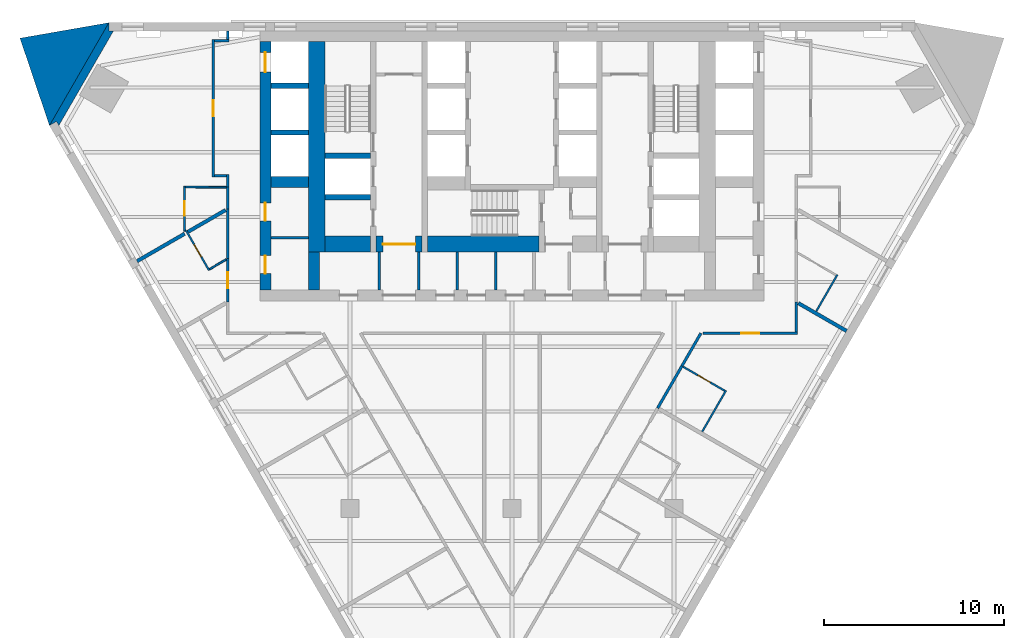
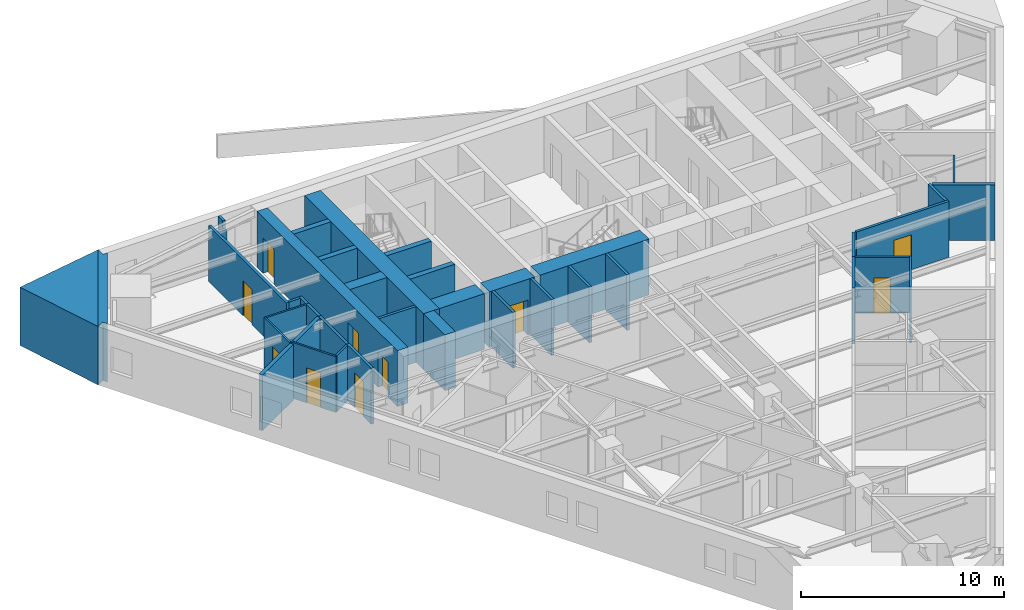
# One storey, part 5 of 11: 40 walls, 10 doors, 10 openings.
"""IFC4 building model written with IfcOpenShell, lengths in metres."""

from ifc_helpers import new_model, si_unit, direction, frame, frame_2d, origin, place, context, subcontext, project, spatial, polyline, rectangle, outline, extrude, material, layer, layer_set, type_object, element, fill, save


model = new_model("IFC4")

# Units and contexts
model_context = context("Model", 3, precision=1e-05, world=origin(), true_north=direction((0.0, 1.0)))
body_context = subcontext(model_context, "Body", "Model", "MODEL_VIEW")
ifc_project = project(units=[si_unit("LENGTHUNIT", "METRE"), si_unit("AREAUNIT", "SQUARE_METRE"), si_unit("VOLUMEUNIT", "CUBIC_METRE"), si_unit("PLANEANGLEUNIT", "RADIAN"), si_unit("MASSUNIT", "GRAM", prefix="KILO")], contexts=[model_context])

# Site, building, storey
site_placement = place(None, origin())
site = spatial("IfcSite", under=ifc_project, at=site_placement, CompositionType="ELEMENT")
building_placement = place(site_placement, origin())
building = spatial("IfcBuilding", under=site, at=building_placement, Name="Aloe Facet Convention Tower", CompositionType="ELEMENT")
storey_placement = place(building_placement, frame((0.0, 0.0, 38.5)))
storey = spatial("IfcBuildingStorey", under=building, at=storey_placement, Name="L07", CompositionType="ELEMENT", Elevation=38.5)

# Walls
ifc_material_1 = material(Name="Concrete blockwork partition", Category="masonry")
ifc_layer_1 = layer(ifc_material_1, 0.14990234375)
ifc_layer_set_1 = layer_set([ifc_layer_1], Name="CR-W-PART150")
wall_type_1 = type_object("IfcWallType", Name="CR-W-PART150", PredefinedType="PARTITIONING", material=ifc_layer_set_1)
wall_1_placement = place(storey_placement, frame((66.60009765625, 123.048583984375, 0.0), z_axis=(0.0, 0.0, 1.0), x_axis=(1.0, 0.0, 0.0)))
element("IfcWall", 1, at=wall_1_placement, inside=storey, type_object=wall_type_1, Name="Core partition L07-007", PredefinedType="PARTITIONING", context=body_context, shape_type="SweptSolid", body=[
    extrude(rectangle(XDim=2.099853515625, YDim=0.14990234375, at=frame_2d((1.0498046875, 0.0))), origin(), (0.0, 0.0, 1.0), 3.35009765625),
])
for number, where, z_axis, x_axis, name in (
    (2, (72.625, 122.25, 0.0), (0.0, 0.0, 1.0), (0.0, -1.0, 0.0), "Core partition L07-016"),
    (3, (74.824951171875, 122.25, 0.0), (0.0, 0.0, 1.0), (0.0, -1.0, 0.0), "Core partition L07-017"),
    (4, (76.958251953125, 122.25, 0.0), (0.0, 0.0, 1.0), (0.0, -1.0, 0.0), "Core partition L07-023"),
    (5, (79.091552734375, 122.25, 0.0), (0.0, 0.0, 1.0), (0.0, -1.0, 0.0), "Core partition L07-026"),
):
    element("IfcWall", number, at=place(storey_placement, frame(where, z_axis=z_axis, x_axis=x_axis)), inside=storey, type_object=wall_type_1, Name=name, PredefinedType="PARTITIONING", context=body_context, shape_type="SweptSolid", body=[
        extrude(rectangle(XDim=2.10009765625, YDim=0.14990234375, at=frame_2d((1.050048828125, 0.0))), origin(), (0.0, 0.0, 1.0), 3.35009765625),
    ])
ifc_material_2 = material(Name="Concrete C80/95", Category="concrete")
ifc_layer_2 = layer(ifc_material_2, 0.300048828125)
ifc_layer_set_2 = layer_set([ifc_layer_2], Name="CR-W-RC300-C8095")
wall_type_2 = type_object("IfcWallType", Name="CR-W-RC300-C8095", PredefinedType="SOLIDWALL", material=ifc_layer_set_2)
for number, where, z_axis, x_axis, name in (
    (6, (66.60009765625, 131.5, 0.0), (0.0, 0.0, 1.0), (1.0, 0.0, 0.0), "Core wall L07-004"),
    (7, (66.60009765625, 128.89990234375, 0.0), (0.0, 0.0, 1.0), (1.0, 0.0, 0.0), "Core wall L07-005"),
):
    element("IfcWall", number, at=place(storey_placement, frame(where, z_axis=z_axis, x_axis=x_axis)), inside=storey, type_object=wall_type_2, Name=name, PredefinedType="SOLIDWALL", context=body_context, shape_type="SweptSolid", body=[
        extrude(rectangle(XDim=2.099853515625, YDim=0.300048828125, at=frame_2d((1.0498046875, 0.0))), origin(), (0.0, 0.0, 1.0), 3.35009765625),
    ])
for number, where, z_axis, x_axis, name in (
    (8, (69.60009765625, 127.60009765625, 0.0), (0.0, 0.0, 1.0), (1.0, 0.0, 0.0), "Core wall L07-010"),
    (9, (69.60009765625, 125.300048828125, 0.0), (0.0, 0.0, 1.0), (1.0, 0.0, 0.0), "Core wall L07-011"),
):
    element("IfcWall", number, at=place(storey_placement, frame(where, z_axis=z_axis, x_axis=x_axis)), inside=storey, type_object=wall_type_2, Name=name, PredefinedType="SOLIDWALL", context=body_context, shape_type="SweptSolid", body=[
        extrude(rectangle(XDim=2.5498046875, YDim=0.300048828125, at=frame_2d((1.27490234375, 0.0))), origin(), (0.0, 0.0, 1.0), 3.35009765625),
    ])

# Wall, openings, doors
ifc_material_3 = material(Name="Concrete C80/95", Category="concrete")
ifc_layer_3 = layer(ifc_material_3, 0.60009765625)
ifc_layer_set_3 = layer_set([ifc_layer_3], Name="CR-W-RC600-C8095")
wall_type_3 = type_object("IfcWallType", Name="CR-W-RC600-C8095", PredefinedType="SOLIDWALL", material=ifc_layer_set_3)
wall_2_placement = place(storey_placement, frame((66.300048828125, 133.949951171875, 0.0), z_axis=(0.0, 0.0, 1.0), x_axis=(0.0, -1.0, 0.0)))
wall_2 = element("IfcWall", 10, at=wall_2_placement, inside=storey, type_object=wall_type_3, Name="Core wall L07-002", PredefinedType="SOLIDWALL", context=body_context, shape_type="SweptSolid", body=[
    extrude(rectangle(XDim=13.800048828125, YDim=0.60009765625, at=frame_2d((6.89990234375, 0.0))), origin(), (0.0, 0.0, 1.0), 3.35009765625),
])
opening_1_placement = place(wall_2_placement, frame((0.60009765625, 0.0, 0.0)))
opening_1 = element("IfcOpeningElement", 11, at=opening_1_placement, cuts=wall_2, Name="Opening LD-A7-L07", PredefinedType="OPENING", context=body_context, shape_type="SweptSolid", body=[
    extrude(rectangle(XDim=1.10009765625, YDim=2.10009765625, at=frame_2d((0.550048828125, 1.050048828125))), frame((0.0, 0.31005859375, 0.0), z_axis=(0.0, -1.0, 0.0), x_axis=(1.0, 0.0, 0.0)), (0.0, 0.0, 1.0), 0.6201171875),
])
opening_2_placement = place(wall_2_placement, frame((8.963134765625, 0.0, 0.0)))
opening_2 = element("IfcOpeningElement", 12, at=opening_2_placement, cuts=wall_2, Name="Opening L07-CD33", PredefinedType="OPENING", context=body_context, shape_type="SweptSolid", body=[
    extrude(rectangle(XDim=1.0, YDim=2.10009765625, at=frame_2d((0.5, 1.050048828125))), frame((0.0, 0.31005859375, 0.0), z_axis=(0.0, -1.0, 0.0), x_axis=(1.0, 0.0, 0.0)), (0.0, 0.0, 1.0), 0.6201171875),
])
opening_3_placement = place(wall_2_placement, frame((11.88818359375, 0.0, 0.0)))
opening_3 = element("IfcOpeningElement", 13, at=opening_3_placement, cuts=wall_2, Name="Opening L07-CD34", PredefinedType="OPENING", context=body_context, shape_type="SweptSolid", body=[
    extrude(rectangle(XDim=1.0, YDim=2.10009765625, at=frame_2d((0.5, 1.050048828125))), frame((0.0, 0.31005859375, 0.0), z_axis=(0.0, -1.0, 0.0), x_axis=(1.0, 0.0, 0.0)), (0.0, 0.0, 1.0), 0.6201171875),
])
ifc_material_4 = material(Name="Steel fire-resisting door set FD60", Category="steel")
door_type_1 = type_object("IfcDoorType", Name="CR-D-ROOM-1000-FD60-SLEFT", OperationType="SINGLE_SWING_LEFT", PredefinedType="DOOR", material=ifc_material_4)
door_1_placement = place(opening_2_placement, origin())
door_1 = element("IfcDoor", 14, at=door_1_placement, inside=storey, type_object=door_type_1, Name="Core door L07-CD33", OperationType="SINGLE_SWING_LEFT", OverallHeight=2.10009765625, OverallWidth=1.0, PredefinedType="DOOR", context=body_context, shape_type="SweptSolid", body=[
    extrude(rectangle(XDim=1.0, YDim=2.10009765625, at=frame_2d((0.5, 1.050048828125))), frame((0.0, 0.02490234375, 0.0), z_axis=(0.0, -1.0, 0.0), x_axis=(1.0, 0.0, 0.0)), (0.0, 0.0, 1.0), 0.050048828125),
])
fill(opening_2, door_1)
door_2_placement = place(opening_3_placement, origin())
door_2 = element("IfcDoor", 15, at=door_2_placement, inside=storey, type_object=door_type_1, Name="Core door L07-CD34", OperationType="SINGLE_SWING_LEFT", OverallHeight=2.10009765625, OverallWidth=1.0, PredefinedType="DOOR", context=body_context, shape_type="SweptSolid", body=[
    extrude(rectangle(XDim=1.0, YDim=2.10009765625, at=frame_2d((0.5, 1.050048828125))), frame((0.0, 0.02490234375, 0.0), z_axis=(0.0, -1.0, 0.0), x_axis=(1.0, 0.0, 0.0)), (0.0, 0.0, 1.0), 0.050048828125),
])
fill(opening_3, door_2)
ifc_material_5 = material(Name="Stainless steel sliding landing door", Category="steel")
door_type_2 = type_object("IfcDoorType", Name="CR-LD-1100-FD60-_LEFT", OperationType="SLIDING_TO_LEFT", PredefinedType="DOOR", material=ifc_material_5)
door_3_placement = place(opening_1_placement, origin())
door_3 = element("IfcDoor", 16, at=door_3_placement, inside=storey, type_object=door_type_2, Name="Landing door A7 L07", OperationType="SLIDING_TO_LEFT", OverallHeight=2.10009765625, OverallWidth=1.10009765625, PredefinedType="DOOR", context=body_context, shape_type="SweptSolid", body=[
    extrude(rectangle(XDim=1.10009765625, YDim=2.10009765625, at=frame_2d((0.550048828125, 1.050048828125))), frame((0.0, 0.02490234375, 0.0), z_axis=(0.0, -1.0, 0.0), x_axis=(1.0, 0.0, 0.0)), (0.0, 0.0, 1.0), 0.050048828125),
])
fill(opening_1, door_3)

# Walls
wall_3_placement = place(storey_placement, frame((66.60009765625, 126.14990234375, 0.0), z_axis=(0.0, 0.0, 1.0), x_axis=(1.0, 0.0, 0.0)))
element("IfcWall", 17, at=wall_3_placement, inside=storey, type_object=wall_type_3, Name="Core wall L07-006", PredefinedType="SOLIDWALL", context=body_context, shape_type="SweptSolid", body=[
    extrude(rectangle(XDim=2.099853515625, YDim=0.60009765625, at=frame_2d((1.0498046875, 0.0))), origin(), (0.0, 0.0, 1.0), 3.35009765625),
])
wall_4_placement = place(storey_placement, frame((69.0, 122.25, 0.0), z_axis=(0.0, 0.0, 1.0), x_axis=(0.0, -1.0, 0.0)))
element("IfcWall", 18, at=wall_4_placement, inside=storey, type_object=wall_type_3, Name="Core wall L07-009", PredefinedType="SOLIDWALL", context=body_context, shape_type="SweptSolid", body=[
    extrude(rectangle(XDim=2.10009765625, YDim=0.60009765625, at=frame_2d((1.050048828125, 0.0))), origin(), (0.0, 0.0, 1.0), 3.35009765625),
])
ifc_material_6 = material(Name="Concrete C80/95", Category="concrete")
ifc_layer_4 = layer(ifc_material_6, 0.89990234375)
ifc_layer_set_4 = layer_set([ifc_layer_4], Name="CR-W-RC900-C8095")
wall_type_4 = type_object("IfcWallType", Name="CR-W-RC900-C8095", PredefinedType="SOLIDWALL", material=ifc_layer_set_4)
wall_5_placement = place(storey_placement, frame((69.14990234375, 133.949951171875, 0.0), z_axis=(0.0, 0.0, 1.0), x_axis=(0.0, -1.0, 0.0)))
element("IfcWall", 19, at=wall_5_placement, inside=storey, type_object=wall_type_4, Name="Core wall L07-008", PredefinedType="SOLIDWALL", context=body_context, shape_type="SweptSolid", body=[
    extrude(rectangle(XDim=11.699951171875, YDim=0.89990234375, at=frame_2d((5.85009765625, 0.0))), origin(), (0.0, 0.0, 1.0), 3.35009765625),
])
wall_6_placement = place(storey_placement, frame((69.60009765625, 122.699951171875, 0.0), z_axis=(0.0, 0.0, 1.0), x_axis=(1.0, 0.0, 0.0)))
element("IfcWall", 20, at=wall_6_placement, inside=storey, type_object=wall_type_4, Name="Core wall L07-012", PredefinedType="SOLIDWALL", context=body_context, shape_type="SweptSolid", body=[
    extrude(rectangle(XDim=2.5498046875, YDim=0.89990234375, at=frame_2d((1.27490234375, 0.0))), origin(), (0.0, 0.0, 1.0), 3.35009765625),
])

# Wall, opening, door
wall_7_placement = place(storey_placement, frame((72.449951171875, 122.699951171875, 0.0), z_axis=(0.0, 0.0, 1.0), x_axis=(1.0, 0.0, 0.0)))
wall_7 = element("IfcWall", 21, at=wall_7_placement, inside=storey, type_object=wall_type_4, Name="Core wall L07-015", PredefinedType="SOLIDWALL", context=body_context, shape_type="SweptSolid", body=[
    extrude(rectangle(XDim=2.550048828125, YDim=0.89990234375, at=frame_2d((1.27490234375, 0.0))), origin(), (0.0, 0.0, 1.0), 3.35009765625),
])
opening_4_placement = place(wall_7_placement, frame((0.375, 0.0, 0.0)))
opening_4 = element("IfcOpeningElement", 22, at=opening_4_placement, cuts=wall_7, Name="Opening L07-CD14", PredefinedType="OPENING", context=body_context, shape_type="SweptSolid", body=[
    extrude(rectangle(XDim=1.800048828125, YDim=2.10009765625, at=frame_2d((0.89990234375, 1.050048828125))), frame((0.0, 0.4599609375, 0.0), z_axis=(0.0, -1.0, 0.0), x_axis=(1.0, 0.0, 0.0)), (0.0, 0.0, 1.0), 0.919921875),
])
ifc_material_7 = material(Name="Steel fire-resisting door set FD120", Category="steel")
door_type_3 = type_object("IfcDoorType", Name="CR-D-EXIT-1800-FD120-DD", OperationType="DOUBLE_DOOR_DOUBLE_SWING", PredefinedType="DOOR", material=ifc_material_7)
door_4_placement = place(opening_4_placement, origin())
door_4 = element("IfcDoor", 23, at=door_4_placement, inside=storey, type_object=door_type_3, Name="Core door L07-CD14", OperationType="DOUBLE_DOOR_DOUBLE_SWING", OverallHeight=2.10009765625, OverallWidth=1.800048828125, PredefinedType="DOOR", context=body_context, shape_type="SweptSolid", body=[
    extrude(rectangle(XDim=1.800048828125, YDim=2.10009765625, at=frame_2d((0.89990234375, 1.050048828125))), frame((0.0, 0.02490234375, 0.0), z_axis=(0.0, -1.0, 0.0), x_axis=(1.0, 0.0, 0.0)), (0.0, 0.0, 1.0), 0.050048828125),
])
fill(opening_4, door_4)

# Walls
wall_8_placement = place(storey_placement, frame((75.300048828125, 122.699951171875, 0.0), z_axis=(0.0, 0.0, 1.0), x_axis=(1.0, 0.0, 0.0)))
element("IfcWall", 24, at=wall_8_placement, inside=storey, type_object=wall_type_4, Name="Core wall L07-022", PredefinedType="SOLIDWALL", context=body_context, shape_type="SweptSolid", body=[
    extrude(rectangle(XDim=6.199951171875, YDim=0.89990234375, at=frame_2d((3.10009765625, 0.0))), origin(), (0.0, 0.0, 1.0), 3.35009765625),
])
ifc_material_8 = material(Name="Precast concrete C40/50", Category="concrete")
ifc_layer_5 = layer(ifc_material_8, 0.449951171875)
ifc_layer_set_5 = layer_set([ifc_layer_5], Name="EV-WALL-PIER")
wall_type_5 = type_object("IfcWallType", Name="EV-WALL-PIER", PredefinedType="SOLIDWALL", material=ifc_layer_set_5)
wall_9_placement = place(storey_placement, frame((0.0, 0.0, -0.14990234375)))
element("IfcWall", 25, at=wall_9_placement, inside=storey, type_object=wall_type_5, Name="EP-L07-A", PredefinedType="SOLIDWALL", context=body_context, shape_type="SweptSolid", body=[
    extrude(outline(polyline([(57.60009765625, 135.0), (57.60009765625, 134.550048828125), (57.85986328125, 134.550048828125), (54.819580078125, 129.2841796875), (54.689697265625, 129.50927734375), (54.300048828125, 129.2841796875), (57.60009765625, 135.0)])), origin(), (0.0, 0.0, 1.0), 3.5),
])
ifc_material_9 = material(Name="Precast concrete C40/50", Category="concrete")
ifc_layer_6 = layer(ifc_material_9, 3.947998046875)
ifc_layer_set_6 = layer_set([ifc_layer_6], Name="EV-WALL-SPINE")
wall_type_6 = type_object("IfcWallType", Name="EV-WALL-SPINE", PredefinedType="SOLIDWALL", material=ifc_layer_set_6)
wall_10_placement = place(storey_placement, frame((0.0, 0.0, -0.14990234375)))
element("IfcWall", 26, at=wall_10_placement, inside=storey, type_object=wall_type_6, Name="SP-NW-L07", PredefinedType="SOLIDWALL", context=body_context, shape_type="SweptSolid", body=[
    extrude(outline(polyline([(57.60009765625, 135.0), (52.66357421875, 134.14013671875), (54.300048828125, 129.2841796875), (57.60009765625, 135.0)])), origin(), (0.0, 0.0, 1.0), 3.5),
])
ifc_material_10 = material(Name="Gypsum board partition on steel studs", Category="steel")
ifc_layer_7 = layer(ifc_material_10, 0.14990234375)
ifc_layer_set_7 = layer_set([ifc_layer_7], Name="IN-W-CORR")
wall_type_7 = type_object("IfcWallType", Name="IN-W-CORR", PredefinedType="PARTITIONING", material=ifc_layer_set_7)
wall_11_placement = place(storey_placement, frame((88.09130859375, 113.585205078125, 0.0), z_axis=(0.0, 0.0, 1.0), x_axis=(0.50000943426, 0.866019956843, 0.0)))
element("IfcWall", 27, at=wall_11_placement, inside=storey, type_object=wall_type_7, Name="Partition L07-W054", PredefinedType="PARTITIONING", context=body_context, shape_type="SweptSolid", body=[
    extrude(rectangle(XDim=2.7001953125, YDim=0.14990234375, at=frame_2d((1.35009765625, 0.0))), origin(), (0.0, 0.0, 1.0), 3.35009765625),
])
wall_12_placement = place(storey_placement, frame((89.44140625, 115.923583984375, 0.0), z_axis=(0.0, 0.0, 1.0), x_axis=(0.499986337096, 0.866033291922, 0.0)))
element("IfcWall", 28, at=wall_12_placement, inside=storey, type_object=wall_type_7, Name="Partition L07-W070", PredefinedType="PARTITIONING", context=body_context, shape_type="SweptSolid", body=[
    extrude(rectangle(XDim=2.10888671875, YDim=0.14990234375, at=frame_2d((1.054443359375, 0.0))), origin(), (0.0, 0.0, 1.0), 3.35009765625),
])

# Wall, opening, door
wall_13_placement = place(storey_placement, frame((90.625732421875, 117.75, 0.0), z_axis=(0.0, 0.0, 1.0), x_axis=(1.0, 0.0, 0.0)))
wall_13 = element("IfcWall", 29, at=wall_13_placement, inside=storey, type_object=wall_type_7, Name="Partition L07-W071", PredefinedType="PARTITIONING", context=body_context, shape_type="SweptSolid", body=[
    extrude(rectangle(XDim=5.249267578125, YDim=0.14990234375, at=frame_2d((2.62451171875, 0.0))), origin(), (0.0, 0.0, 1.0), 3.35009765625),
])
opening_5_placement = place(wall_13_placement, frame((2.12451171875, 0.0, 0.0)))
opening_5 = element("IfcOpeningElement", 30, at=opening_5_placement, cuts=wall_13, Name="Opening L07-011", PredefinedType="OPENING", context=body_context, shape_type="SweptSolid", body=[
    extrude(rectangle(XDim=1.0, YDim=2.10009765625, at=frame_2d((0.5, 1.050048828125))), frame((0.0, 0.0849609375, 0.0), z_axis=(0.0, -1.0, 0.0), x_axis=(1.0, 0.0, 0.0)), (0.0, 0.0, 1.0), 0.169921875),
])
ifc_material_11 = material(Name="Hardwood flush door FD30S", Category="wood")
door_type_4 = type_object("IfcDoorType", Name="IN-D-WIDE", OperationType="SINGLE_SWING_LEFT", PredefinedType="DOOR", material=ifc_material_11)
door_5_placement = place(opening_5_placement, origin())
door_5 = element("IfcDoor", 31, at=door_5_placement, inside=storey, type_object=door_type_4, Name="Door L07-011", OperationType="SINGLE_SWING_LEFT", OverallHeight=2.10009765625, OverallWidth=1.0, PredefinedType="DOOR", context=body_context, shape_type="SweptSolid", body=[
    extrude(rectangle(XDim=1.0, YDim=2.10009765625, at=frame_2d((0.5, 1.050048828125))), frame((0.0, 0.02490234375, 0.0), z_axis=(0.0, -1.0, 0.0), x_axis=(1.0, 0.0, 0.0)), (0.0, 0.0, 1.0), 0.050048828125),
])
fill(opening_5, door_5)

wall_14_placement = place(storey_placement, frame((64.199951171875, 119.480712890625, 0.0), z_axis=(0.0, 0.0, 1.0), x_axis=(0.0, 1.0, 0.0)))
wall_14 = element("IfcWall", 32, at=wall_14_placement, inside=storey, type_object=wall_type_7, Name="Partition L07-W076", PredefinedType="PARTITIONING", context=body_context, shape_type="SweptSolid", body=[
    extrude(rectangle(XDim=2.413330078125, YDim=0.14990234375, at=frame_2d((1.20654296875, 0.0))), origin(), (0.0, 0.0, 1.0), 3.35009765625),
])
opening_6_placement = place(wall_14_placement, frame((0.756591796875, 0.0, 0.0)))
opening_6 = element("IfcOpeningElement", 33, at=opening_6_placement, cuts=wall_14, Name="Opening L07-003", PredefinedType="OPENING", context=body_context, shape_type="SweptSolid", body=[
    extrude(rectangle(XDim=0.89990234375, YDim=2.10009765625, at=frame_2d((0.449951171875, 1.050048828125))), frame((0.0, 0.0849609375, 0.0), z_axis=(0.0, -1.0, 0.0), x_axis=(1.0, 0.0, 0.0)), (0.0, 0.0, 1.0), 0.169921875),
])
ifc_material_12 = material(Name="Hardwood flush door FD30S", Category="wood")
door_type_5 = type_object("IfcDoorType", Name="IN-D-GUEST", OperationType="SINGLE_SWING_LEFT", PredefinedType="DOOR", material=ifc_material_12)
door_6_placement = place(opening_6_placement, origin())
door_6 = element("IfcDoor", 34, at=door_6_placement, inside=storey, type_object=door_type_5, Name="Door L07-003", OperationType="SINGLE_SWING_LEFT", OverallHeight=2.10009765625, OverallWidth=0.89990234375, PredefinedType="DOOR", context=body_context, shape_type="SweptSolid", body=[
    extrude(rectangle(XDim=0.89990234375, YDim=2.10009765625, at=frame_2d((0.449951171875, 1.050048828125))), frame((0.0, 0.02490234375, 0.0), z_axis=(0.0, -1.0, 0.0), x_axis=(1.0, 0.0, 0.0)), (0.0, 0.0, 1.0), 0.050048828125),
])
fill(opening_6, door_6)

# Walls
wall_15_placement = place(storey_placement, frame((95.800048828125, 117.824951171875, 0.0), z_axis=(0.0, 0.0, 1.0), x_axis=(0.0, 1.0, 0.0)))
element("IfcWall", 35, at=wall_15_placement, inside=storey, type_object=wall_type_7, Name="Partition L07-W077", PredefinedType="PARTITIONING", context=body_context, shape_type="SweptSolid", body=[
    extrude(rectangle(XDim=1.65576171875, YDim=0.14990234375, at=frame_2d((0.827880859375, 0.0))), origin(), (0.0, 0.0, 1.0), 3.35009765625),
])
wall_16_placement = place(storey_placement, frame((64.199951171875, 121.89404296875, 0.0), z_axis=(0.0, 0.0, 1.0), x_axis=(0.0, 1.0, 0.0)))
element("IfcWall", 36, at=wall_16_placement, inside=storey, type_object=wall_type_7, Name="Partition L07-W092", PredefinedType="PARTITIONING", context=body_context, shape_type="SweptSolid", body=[
    extrude(rectangle(XDim=2.759765625, YDim=0.14990234375, at=frame_2d((1.3798828125, 0.0))), origin(), (0.0, 0.0, 1.0), 3.35009765625),
])
wall_17_placement = place(storey_placement, frame((64.199951171875, 125.858154296875, 0.0), z_axis=(0.0, 0.0, 1.0), x_axis=(0.0, 1.0, 0.0)))
element("IfcWall", 37, at=wall_17_placement, inside=storey, type_object=wall_type_7, Name="Partition L07-W096", PredefinedType="PARTITIONING", context=body_context, shape_type="SweptSolid", body=[
    extrude(rectangle(XDim=0.716796875, YDim=0.14990234375, at=frame_2d((0.3583984375, 0.0))), origin(), (0.0, 0.0, 1.0), 3.35009765625),
])
wall_18_placement = place(storey_placement, frame((64.199951171875, 124.65380859375, 0.0), z_axis=(0.0, 0.0, 1.0), x_axis=(0.0, 1.0, 0.0)))
element("IfcWall", 38, at=wall_18_placement, inside=storey, type_object=wall_type_7, Name="Partition L07-W098", PredefinedType="PARTITIONING", context=body_context, shape_type="SweptSolid", body=[
    extrude(rectangle(XDim=1.204345703125, YDim=0.14990234375, at=frame_2d((0.60205078125, 0.0))), origin(), (0.0, 0.0, 1.0), 3.35009765625),
])

# Wall, opening, door
wall_19_placement = place(storey_placement, frame((63.39990234375, 126.425048828125, 0.0), z_axis=(0.0, 0.0, 1.0), x_axis=(0.0, 1.0, 0.0)))
wall_19 = element("IfcWall", 39, at=wall_19_placement, inside=storey, type_object=wall_type_7, Name="Partition L07-W101", PredefinedType="PARTITIONING", context=body_context, shape_type="SweptSolid", body=[
    extrude(rectangle(XDim=7.6494140625, YDim=0.14990234375, at=frame_2d((3.82470703125, 0.0))), origin(), (0.0, 0.0, 1.0), 3.35009765625),
])
opening_7_placement = place(wall_19_placement, frame((3.374755859375, 0.0, 0.0)))
opening_7 = element("IfcOpeningElement", 40, at=opening_7_placement, cuts=wall_19, Name="Opening L07-002", PredefinedType="OPENING", context=body_context, shape_type="SweptSolid", body=[
    extrude(rectangle(XDim=0.89990234375, YDim=2.10009765625, at=frame_2d((0.449951171875, 1.050048828125))), frame((0.0, 0.0849609375, 0.0), z_axis=(0.0, -1.0, 0.0), x_axis=(1.0, 0.0, 0.0)), (0.0, 0.0, 1.0), 0.169921875),
])
door_7_placement = place(opening_7_placement, origin())
door_7 = element("IfcDoor", 41, at=door_7_placement, inside=storey, type_object=door_type_5, Name="Door L07-002", OperationType="SINGLE_SWING_LEFT", OverallHeight=2.10009765625, OverallWidth=0.89990234375, PredefinedType="DOOR", context=body_context, shape_type="SweptSolid", body=[
    extrude(rectangle(XDim=0.89990234375, YDim=2.10009765625, at=frame_2d((0.449951171875, 1.050048828125))), frame((0.0, 0.02490234375, 0.0), z_axis=(0.0, -1.0, 0.0), x_axis=(1.0, 0.0, 0.0)), (0.0, 0.0, 1.0), 0.050048828125),
])
fill(opening_7, door_7)

# Walls
wall_20_placement = place(storey_placement, frame((63.47509765625, 126.5, 0.0), z_axis=(0.0, 0.0, 1.0), x_axis=(1.0, 0.0, 0.0)))
element("IfcWall", 42, at=wall_20_placement, inside=storey, type_object=wall_type_7, Name="Partition L07-W102", PredefinedType="PARTITIONING", context=body_context, shape_type="SweptSolid", body=[
    extrude(rectangle(XDim=0.64990234375, YDim=0.14990234375, at=frame_2d((0.324951171875, 0.0))), origin(), (0.0, 0.0, 1.0), 3.35009765625),
])
wall_21_placement = place(storey_placement, frame((63.47509765625, 133.99951171875, 0.0), z_axis=(0.0, 0.0, 1.0), x_axis=(0.999999813645, 0.000610500497, 0.0)))
element("IfcWall", 43, at=wall_21_placement, inside=storey, type_object=wall_type_7, Name="Partition L07-W105", PredefinedType="PARTITIONING", context=body_context, shape_type="SweptSolid", body=[
    extrude(rectangle(XDim=0.7998046875, YDim=0.14990234375, at=frame_2d((0.39990234375, 0.0))), origin(), (0.0, 0.0, 1.0), 2.88671875),
])
wall_22_placement = place(storey_placement, frame((64.199951171875, 134.074951171875, 0.0), z_axis=(0.0, 0.0, 1.0), x_axis=(0.0, 1.0, 0.0)))
element("IfcWall", 44, at=wall_22_placement, inside=storey, type_object=wall_type_7, Name="Partition L07-W106", PredefinedType="PARTITIONING", context=body_context, shape_type="SweptSolid", body=[
    extrude(rectangle(XDim=0.465087890625, YDim=0.14990234375, at=frame_2d((0.232421875, 0.0))), origin(), (0.0, 0.0, 1.0), 3.35009765625),
])
ifc_material_13 = material(Name="Gypsum board partition on steel studs", Category="steel")
ifc_layer_8 = layer(ifc_material_13, 0.10009765625)
ifc_layer_set_8 = layer_set([ifc_layer_8], Name="IN-W-PART")
wall_type_8 = type_object("IfcWallType", Name="IN-W-PART", PredefinedType="PARTITIONING", material=ifc_layer_set_8)
wall_23_placement = place(storey_placement, frame((90.5712890625, 112.280517578125, 0.0), z_axis=(0.0, 0.0, 1.0), x_axis=(0.500007957085, 0.86602080971, 0.0)))
element("IfcWall", 45, at=wall_23_placement, inside=storey, type_object=wall_type_8, Name="Partition L07-W057", PredefinedType="PARTITIONING", context=body_context, shape_type="SweptSolid", body=[
    extrude(rectangle(XDim=2.64013671875, YDim=0.10009765625, at=frame_2d((1.320068359375, 0.0))), origin(), (0.0, 0.0, 1.0), 3.35009765625),
])

# Wall, opening, door
wall_24_placement = place(storey_placement, frame((89.51513671875, 115.881103515625, 0.0), z_axis=(0.0, 0.0, 1.0), x_axis=(0.86601318911, -0.500021155841, 0.0)))
wall_24 = element("IfcWall", 46, at=wall_24_placement, inside=storey, type_object=wall_type_8, Name="Partition L07-W059", PredefinedType="PARTITIONING", context=body_context, shape_type="SweptSolid", body=[
    extrude(rectangle(XDim=2.6650390625, YDim=0.10009765625, at=frame_2d((1.33251953125, 0.0))), origin(), (0.0, 0.0, 1.0), 3.35009765625),
])
opening_8_placement = place(wall_24_placement, frame((0.9326171875, 0.0, 0.0)))
opening_8 = element("IfcOpeningElement", 47, at=opening_8_placement, cuts=wall_24, Name="Opening L07-026", PredefinedType="OPENING", context=body_context, shape_type="SweptSolid", body=[
    extrude(rectangle(XDim=0.800048828125, YDim=2.10009765625, at=frame_2d((0.39990234375, 1.050048828125))), frame((0.0, 0.06005859375, 0.0), z_axis=(0.0, -1.0, 0.0), x_axis=(1.0, 0.0, 0.0)), (0.0, 0.0, 1.0), 0.1201171875),
])
ifc_material_14 = material(Name="Timber flush door", Category="wood")
door_type_6 = type_object("IfcDoorType", Name="IN-D-BATH", OperationType="SINGLE_SWING_LEFT", PredefinedType="DOOR", material=ifc_material_14)
door_8_placement = place(opening_8_placement, origin())
door_8 = element("IfcDoor", 48, at=door_8_placement, inside=storey, type_object=door_type_6, Name="Door L07-026", OperationType="SINGLE_SWING_LEFT", OverallHeight=2.10009765625, OverallWidth=0.800048828125, PredefinedType="DOOR", context=body_context, shape_type="SweptSolid", body=[
    extrude(rectangle(XDim=0.800048828125, YDim=2.10009765625, at=frame_2d((0.39990234375, 1.050048828125))), frame((0.0, 0.02490234375, 0.0), z_axis=(0.0, -1.0, 0.0), x_axis=(1.0, 0.0, 0.0)), (0.0, 0.0, 1.0), 0.050048828125),
])
fill(opening_8, door_8)

# Wall
wall_25_placement = place(storey_placement, frame((96.90673828125, 118.968994140625, 0.0), z_axis=(0.0, 0.0, 1.0), x_axis=(0.499999433879, 0.866025730634, 0.0)))
element("IfcWall", 49, at=wall_25_placement, inside=storey, type_object=wall_type_8, Name="Partition L07-W082", PredefinedType="PARTITIONING", context=body_context, shape_type="SweptSolid", body=[
    extrude(rectangle(XDim=2.33984375, YDim=0.10009765625, at=frame_2d((1.169921875, 0.0))), origin(), (0.0, 0.0, 1.0), 3.35009765625),
])

# Wall, opening, door
wall_26_placement = place(storey_placement, frame((61.8984375, 123.4404296875, 0.0), z_axis=(0.0, 0.0, 1.0), x_axis=(0.499990435942, -0.866030925526, 0.0)))
wall_26 = element("IfcWall", 50, at=wall_26_placement, inside=storey, type_object=wall_type_8, Name="Partition L07-W083", PredefinedType="PARTITIONING", context=body_context, shape_type="SweptSolid", body=[
    extrude(rectangle(XDim=2.5498046875, YDim=0.10009765625, at=frame_2d((1.27490234375, 0.0))), origin(), (0.0, 0.0, 1.0), 3.35009765625),
])
opening_9_placement = place(wall_26_placement, frame((0.875, 0.0, 0.0)))
opening_9 = element("IfcOpeningElement", 51, at=opening_9_placement, cuts=wall_26, Name="Opening L07-018", PredefinedType="OPENING", context=body_context, shape_type="SweptSolid", body=[
    extrude(rectangle(XDim=0.800048828125, YDim=2.10009765625, at=frame_2d((0.39990234375, 1.050048828125))), frame((0.0, 0.06005859375, 0.0), z_axis=(0.0, -1.0, 0.0), x_axis=(1.0, 0.0, 0.0)), (0.0, 0.0, 1.0), 0.1201171875),
])
door_9_placement = place(opening_9_placement, origin())
door_9 = element("IfcDoor", 52, at=door_9_placement, inside=storey, type_object=door_type_6, Name="Door L07-018", OperationType="SINGLE_SWING_LEFT", OverallHeight=2.10009765625, OverallWidth=0.800048828125, PredefinedType="DOOR", context=body_context, shape_type="SweptSolid", body=[
    extrude(rectangle(XDim=0.800048828125, YDim=2.10009765625, at=frame_2d((0.39990234375, 1.050048828125))), frame((0.0, 0.02490234375, 0.0), z_axis=(0.0, -1.0, 0.0), x_axis=(1.0, 0.0, 0.0)), (0.0, 0.0, 1.0), 0.050048828125),
])
fill(opening_9, door_9)

# Wall
wall_27_placement = place(storey_placement, frame((63.199951171875, 121.305908203125, 0.0), z_axis=(0.0, 0.0, 1.0), x_axis=(0.86196956313, 0.506960030216, 0.0)))
element("IfcWall", 53, at=wall_27_placement, inside=storey, type_object=wall_type_8, Name="Partition L07-W085", PredefinedType="PARTITIONING", context=body_context, shape_type="SweptSolid", body=[
    extrude(rectangle(XDim=1.065185546875, YDim=0.10009765625, at=frame_2d((0.53271484375, 0.0))), origin(), (0.0, 0.0, 1.0), 3.35009765625),
])

# Wall, opening, door
wall_28_placement = place(storey_placement, frame((61.809326171875, 123.417724609375, 0.0), z_axis=(0.0, 0.0, 1.0), x_axis=(-0.003807822423, 0.999992750218, 0.0)))
wall_28 = element("IfcWall", 54, at=wall_28_placement, inside=storey, type_object=wall_type_8, Name="Partition L07-W087", PredefinedType="PARTITIONING", context=body_context, shape_type="SweptSolid", body=[
    extrude(rectangle(XDim=2.50048828125, YDim=0.10009765625, at=frame_2d((1.250244140625, 0.0))), origin(), (0.0, 0.0, 1.0), 3.35009765625),
])
opening_10_placement = place(wall_28_placement, frame((0.85009765625, 0.0, 0.0)))
opening_10 = element("IfcOpeningElement", 55, at=opening_10_placement, cuts=wall_28, Name="Opening L07-017", PredefinedType="OPENING", context=body_context, shape_type="SweptSolid", body=[
    extrude(rectangle(XDim=0.800048828125, YDim=2.10009765625, at=frame_2d((0.39990234375, 1.050048828125))), frame((0.0, 0.06005859375, 0.0), z_axis=(0.0, -1.0, 0.0), x_axis=(1.0, 0.0, 0.0)), (0.0, 0.0, 1.0), 0.1201171875),
])
door_10_placement = place(opening_10_placement, origin())
door_10 = element("IfcDoor", 56, at=door_10_placement, inside=storey, type_object=door_type_6, Name="Door L07-017", OperationType="SINGLE_SWING_LEFT", OverallHeight=2.10009765625, OverallWidth=0.800048828125, PredefinedType="DOOR", context=body_context, shape_type="SweptSolid", body=[
    extrude(rectangle(XDim=0.800048828125, YDim=2.10009765625, at=frame_2d((0.39990234375, 1.050048828125))), frame((0.0, 0.02490234375, 0.0), z_axis=(0.0, -1.0, 0.0), x_axis=(1.0, 0.0, 0.0)), (0.0, 0.0, 1.0), 0.050048828125),
])
fill(opening_10, door_10)

# Walls
wall_29_placement = place(storey_placement, frame((61.85009765625, 125.867919921875, 0.0), z_axis=(0.0, 0.0, 1.0), x_axis=(0.999991684538, -0.004078094442, 0.0)))
element("IfcWall", 57, at=wall_29_placement, inside=storey, type_object=wall_type_8, Name="Partition L07-W097", PredefinedType="PARTITIONING", context=body_context, shape_type="SweptSolid", body=[
    extrude(rectangle(XDim=2.27490234375, YDim=0.10009765625, at=frame_2d((1.137451171875, 0.0))), origin(), (0.0, 0.0, 1.0), 3.35009765625),
])
ifc_material_15 = material(Name="Gypsum board partition on steel studs", Category="steel")
ifc_layer_9 = layer(ifc_material_15, 0.199951171875)
ifc_layer_set_9 = layer_set([ifc_layer_9], Name="IN-W-PARTY")
wall_type_9 = type_object("IfcWallType", Name="IN-W-PARTY", PredefinedType="PARTITIONING", material=ifc_layer_set_9)
wall_30_placement = place(storey_placement, frame((95.908203125, 119.418212890625, 0.0), z_axis=(0.0, 0.0, 1.0), x_axis=(0.866051688794, -0.499954470265, 0.0)))
element("IfcWall", 58, at=wall_30_placement, inside=storey, type_object=wall_type_9, Name="Partition L07-W073", PredefinedType="PARTITIONING", context=body_context, shape_type="SweptSolid", body=[
    extrude(rectangle(XDim=3.096923828125, YDim=0.199951171875, at=frame_2d((1.54833984375, 0.0))), origin(), (0.0, 0.0, 1.0), 3.35009765625),
])
wall_31_placement = place(storey_placement, frame((59.169677734375, 121.749755859375, 0.0), z_axis=(0.0, 0.0, 1.0), x_axis=(0.86606157367, 0.499937346687, 0.0)))
element("IfcWall", 59, at=wall_31_placement, inside=storey, type_object=wall_type_9, Name="Partition L07-W084", PredefinedType="PARTITIONING", context=body_context, shape_type="SweptSolid", body=[
    extrude(rectangle(XDim=3.048828125, YDim=0.199951171875, at=frame_2d((1.5244140625, 0.0))), origin(), (0.0, 0.0, 1.0), 3.35009765625),
])
wall_32_placement = place(storey_placement, frame((62.000244140625, 123.3837890625, 0.0), z_axis=(0.0, 0.0, 1.0), x_axis=(0.866032396701, 0.499987887718, 0.0)))
element("IfcWall", 60, at=wall_32_placement, inside=storey, type_object=wall_type_9, Name="Partition L07-W090", PredefinedType="PARTITIONING", context=body_context, shape_type="SweptSolid", body=[
    extrude(rectangle(XDim=2.4150390625, YDim=0.199951171875, at=frame_2d((1.20751953125, 0.0))), origin(), (0.0, 0.0, 1.0), 3.35009765625),
])

save(model, "model.ifc")
